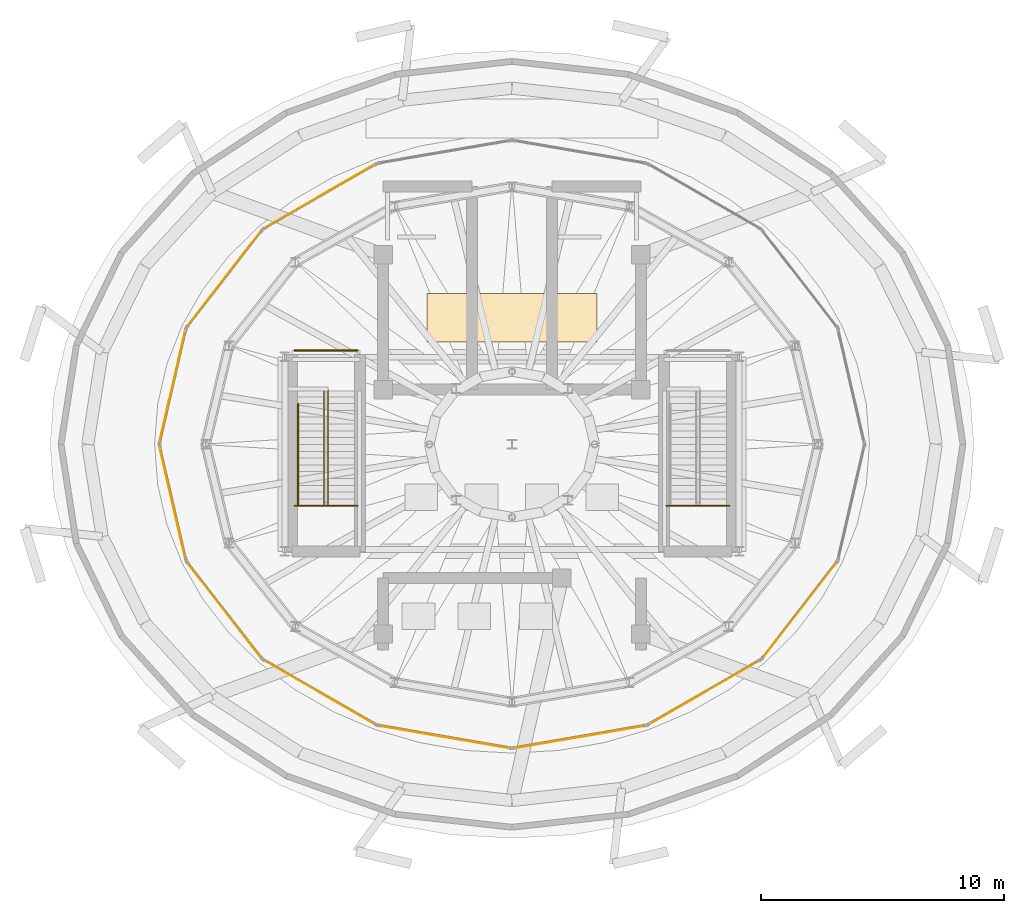
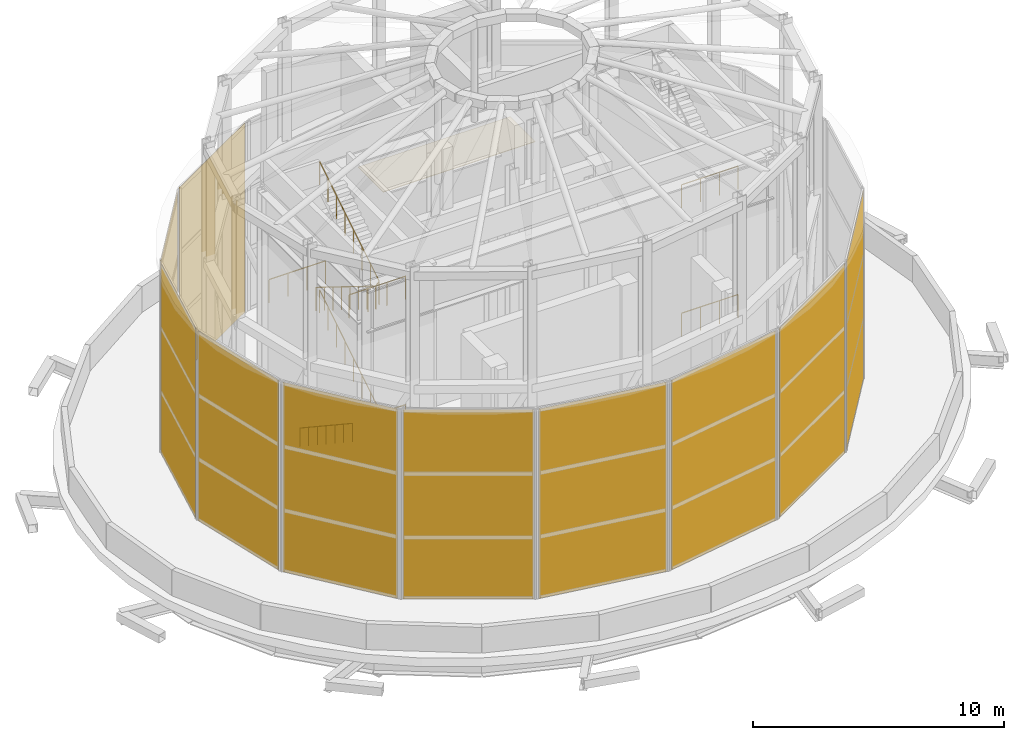
# One storey, part 21 of 22: 10 shading devices, 8 railings, 1 covering.
"""IFC4 building model written with IfcOpenShell, lengths in metres."""

from ifc_helpers import new_model, si_unit, direction, frame, origin, origin_2d, place, context, subcontext, project, spatial, polyline, rectangle, outline, extrude, material, layer, layer_set, type_object, element, save


model = new_model("IFC4")

# Units and contexts
model_context = context("Model", 3, precision=1e-05, world=origin(), true_north=direction((0.0, 1.0)))
body_context = subcontext(model_context, "Body", "Model", "MODEL_VIEW")
ifc_project = project(units=[si_unit("LENGTHUNIT", "METRE"), si_unit("AREAUNIT", "SQUARE_METRE"), si_unit("VOLUMEUNIT", "CUBIC_METRE"), si_unit("PLANEANGLEUNIT", "RADIAN"), si_unit("MASSUNIT", "GRAM", prefix="KILO")], contexts=[model_context])

# Site, building, storey
site_placement = place(None, origin())
site = spatial("IfcSite", under=ifc_project, at=site_placement, CompositionType="ELEMENT")
building_placement = place(site_placement, origin())
building = spatial("IfcBuilding", under=site, at=building_placement, Name="Nuhasar Tower", CompositionType="ELEMENT")
storey_placement = place(building_placement, frame((0.0, 0.0, 313.39990234375)))
storey = spatial("IfcBuildingStorey", under=building, at=storey_placement, Name="Roof Drum", CompositionType="ELEMENT", Elevation=313.39990234375)

# Covering
ifc_material_1 = material(Name="EPDM Membrane", Category="bitumen")
ifc_layer_1 = layer(ifc_material_1, 0.030029296875)
ifc_layer_set_1 = layer_set([ifc_layer_1], Name="EPDM Membrane")
covering_type = type_object("IfcCoveringType", Name="COV-ROOF-MEM30", PredefinedType="ROOFING", material=ifc_layer_set_1)
covering_placement = place(storey_placement, frame((0.0, 0.0, 9.5)))
element("IfcCovering", 1, at=covering_placement, inside=storey, type_object=covering_type, Name="Roof Drum Waterproofing Roof Membrane Strip 05", PredefinedType="ROOFING", context=body_context, shape_type="SweptSolid", body=[
    extrude(outline(polyline([(35.5, 31.0), (42.5, 31.0), (42.5, 33.0), (35.5, 33.0), (35.5, 31.0)])), origin(), (0.0, 0.0, 1.0), 0.030029296875),
])

# Railings
ifc_material_2 = material(Name="Steel S355", Category="steel")
railing_type_1 = type_object("IfcRailingType", Name="RLG-STAIR-GUARD-1150", PredefinedType="GUARDRAIL", material=ifc_material_2)
railing_1_placement = place(storey_placement, frame((30.050048828125, 24.27490234375, 3.125)))
element("IfcRailing", 2, at=railing_1_placement, inside=storey, type_object=railing_type_1, Name="Roof Drum Stair ST-CRN-1 Guardrail LNDS1", PredefinedType="GUARDRAIL", context=body_context, shape_type="SweptSolid", body=[
    extrude(outline(polyline([(0.024169921875, 0.0), (0.01708984375, 0.01708984375), (0.0, 0.024169921875), (-0.01708984375, 0.01708984375), (-0.024169921875, 0.0), (-0.01708984375, -0.01708984375), (0.0, -0.024169921875), (0.01708984375, -0.01708984375), (0.024169921875, 0.0)])), frame((0.0, 0.0, 1.1259765625), z_axis=(1.0, 0.0, 0.0), x_axis=(0.0, 1.0, 0.0)), (0.0, 0.0, 1.0), 2.599853515625),
    extrude(outline(polyline([(0.02099609375, 0.0), (0.014892578125, 0.014892578125), (0.0, 0.02099609375), (-0.014892578125, 0.014892578125), (-0.02099609375, 0.0), (-0.014892578125, -0.014892578125), (0.0, -0.02099609375), (0.014892578125, -0.014892578125), (0.02099609375, 0.0)])), origin(), (0.0, 0.0, 1.0), 1.101806640625),
    extrude(outline(polyline([(0.02099609375, 0.0), (0.014892578125, 0.014892578125), (0.0, 0.02099609375), (-0.014892578125, 0.014892578125), (-0.02099609375, 0.0), (-0.014892578125, -0.014892578125), (0.0, -0.02099609375), (0.014892578125, -0.014892578125), (0.02099609375, 0.0)])), frame((0.86669921875, 0.0, 0.0)), (0.0, 0.0, 1.0), 1.101806640625),
    extrude(outline(polyline([(0.02099609375, 0.0), (0.014892578125, 0.014892578125), (0.0, 0.02099609375), (-0.014892578125, 0.014892578125), (-0.02099609375, 0.0), (-0.014892578125, -0.014892578125), (0.0, -0.02099609375), (0.014892578125, -0.014892578125), (0.02099609375, 0.0)])), frame((1.733154296875, 0.0, 0.0)), (0.0, 0.0, 1.0), 1.101806640625),
    extrude(outline(polyline([(0.02099609375, 0.0), (0.014892578125, 0.014892578125), (0.0, 0.02099609375), (-0.014892578125, 0.014892578125), (-0.02099609375, 0.0), (-0.014892578125, -0.014892578125), (0.0, -0.02099609375), (0.014892578125, -0.014892578125), (0.02099609375, 0.0)])), frame((2.599853515625, 0.0, 0.0)), (0.0, 0.0, 1.0), 1.101806640625),
])
railing_2_placement = place(storey_placement, frame((31.27001953125, 28.47509765625, 0.52099609375)))
element("IfcRailing", 3, at=railing_2_placement, inside=storey, type_object=railing_type_1, Name="Roof Drum Stair ST-CRN-1 Guardrail SLT1", PredefinedType="GUARDRAIL", context=body_context, shape_type="SweptSolid", body=[
    extrude(outline(polyline([(0.024169921875, 0.0), (0.01708984375, 0.01708984375), (0.0, 0.024169921875), (-0.01708984375, 0.01708984375), (-0.024169921875, 0.0), (-0.01708984375, -0.01708984375), (0.0, -0.024169921875), (0.01708984375, -0.01708984375), (0.024169921875, 0.0)])), frame((0.0, 0.0, 1.1259765625), z_axis=(0.0, -0.849913311345, 0.526922540037), x_axis=(1.0, 0.0, 0.0)), (0.0, 0.0, 1.0), 4.94189453125),
    extrude(outline(polyline([(0.024169921875, 0.0), (0.01708984375, 0.01708984375), (0.0, 0.024169921875), (-0.01708984375, 0.01708984375), (-0.024169921875, 0.0), (-0.01708984375, -0.01708984375), (0.0, -0.024169921875), (0.01708984375, -0.01708984375), (0.024169921875, 0.0)])), frame((0.0, -4.2001953125, 3.72998046875), z_axis=(0.676519338112, 0.0, 0.736424867288), x_axis=(0.0, 1.0, 0.0)), (0.0, 0.0, 1.0), 0.236328125),
    extrude(outline(polyline([(0.024169921875, 0.0), (0.01708984375, 0.01708984375), (0.0, 0.024169921875), (-0.01708984375, 0.01708984375), (-0.024169921875, 0.0), (-0.01708984375, -0.01708984375), (0.0, -0.024169921875), (0.01708984375, -0.01708984375), (0.024169921875, 0.0)])), frame((0.159912109375, -4.2001953125, 3.90380859375), z_axis=(0.0, 0.849924946986, 0.526903771566), x_axis=(-1.0, 0.0, 0.0)), (0.0, 0.0, 1.0), 5.6005859375),
    extrude(outline(polyline([(0.02099609375, 0.0), (0.014892578125, 0.014892578125), (0.0, 0.02099609375), (-0.014892578125, 0.014892578125), (-0.02099609375, 0.0), (-0.014892578125, -0.014892578125), (0.0, -0.02099609375), (0.014892578125, -0.014892578125), (0.02099609375, 0.0)])), origin(), (0.0, 0.0, 1.0), 1.101806640625),
    extrude(outline(polyline([(0.02099609375, 0.0), (0.014892578125, 0.014892578125), (0.0, 0.02099609375), (-0.014892578125, 0.014892578125), (-0.02099609375, 0.0), (-0.014892578125, -0.014892578125), (0.0, -0.02099609375), (0.014892578125, -0.014892578125), (0.02099609375, 0.0)])), frame((0.0, -0.699951171875, 0.43408203125)), (0.0, 0.0, 1.0), 1.101806640625),
    extrude(outline(polyline([(0.02099609375, 0.0), (0.014892578125, 0.014892578125), (0.0, 0.02099609375), (-0.014892578125, 0.014892578125), (-0.02099609375, 0.0), (-0.014892578125, -0.014892578125), (0.0, -0.02099609375), (0.014892578125, -0.014892578125), (0.02099609375, 0.0)])), frame((0.0, -1.400146484375, 0.867919921875)), (0.0, 0.0, 1.0), 1.101806640625),
    extrude(outline(polyline([(0.02099609375, 0.0), (0.014892578125, 0.014892578125), (0.0, 0.02099609375), (-0.014892578125, 0.014892578125), (-0.02099609375, 0.0), (-0.014892578125, -0.014892578125), (0.0, -0.02099609375), (0.014892578125, -0.014892578125), (0.02099609375, 0.0)])), frame((0.0, -2.10009765625, 1.302001953125)), (0.0, 0.0, 1.0), 1.101806640625),
    extrude(outline(polyline([(0.02099609375, 0.0), (0.014892578125, 0.014892578125), (0.0, 0.02099609375), (-0.014892578125, 0.014892578125), (-0.02099609375, 0.0), (-0.014892578125, -0.014892578125), (0.0, -0.02099609375), (0.014892578125, -0.014892578125), (0.02099609375, 0.0)])), frame((0.0, -2.800048828125, 1.736083984375)), (0.0, 0.0, 1.0), 1.101806640625),
    extrude(outline(polyline([(0.02099609375, 0.0), (0.014892578125, 0.014892578125), (0.0, 0.02099609375), (-0.014892578125, 0.014892578125), (-0.02099609375, 0.0), (-0.014892578125, -0.014892578125), (0.0, -0.02099609375), (0.014892578125, -0.014892578125), (0.02099609375, 0.0)])), frame((0.0, -3.500244140625, 2.169921875)), (0.0, 0.0, 1.0), 1.101806640625),
    extrude(outline(polyline([(0.02099609375, 0.0), (0.014892578125, 0.014892578125), (0.0, 0.02099609375), (-0.014892578125, 0.014892578125), (-0.02099609375, 0.0), (-0.014892578125, -0.014892578125), (0.0, -0.02099609375), (0.014892578125, -0.014892578125), (0.02099609375, 0.0)])), frame((0.0, -4.2001953125, 2.60400390625)), (0.0, 0.0, 1.0), 1.101806640625),
    extrude(outline(polyline([(0.02099609375, 0.0), (0.014892578125, 0.014892578125), (0.0, 0.02099609375), (-0.014892578125, 0.014892578125), (-0.02099609375, 0.0), (-0.014892578125, -0.014892578125), (0.0, -0.02099609375), (0.014892578125, -0.014892578125), (0.02099609375, 0.0)])), frame((0.159912109375, -4.2001953125, 2.778076171875)), (0.0, 0.0, 1.0), 1.101806640625),
    extrude(outline(polyline([(0.02099609375, 0.0), (0.014892578125, 0.014892578125), (0.0, 0.02099609375), (-0.014892578125, 0.014892578125), (-0.02099609375, 0.0), (-0.014892578125, -0.014892578125), (0.0, -0.02099609375), (0.014892578125, -0.014892578125), (0.02099609375, 0.0)])), frame((0.159912109375, -3.520263671875, 3.19970703125)), (0.0, 0.0, 1.0), 1.101806640625),
    extrude(outline(polyline([(0.02099609375, 0.0), (0.014892578125, 0.014892578125), (0.0, 0.02099609375), (-0.014892578125, 0.014892578125), (-0.02099609375, 0.0), (-0.014892578125, -0.014892578125), (0.0, -0.02099609375), (0.014892578125, -0.014892578125), (0.02099609375, 0.0)])), frame((0.159912109375, -2.840087890625, 3.62109375)), (0.0, 0.0, 1.0), 1.101806640625),
    extrude(outline(polyline([(0.02099609375, 0.0), (0.014892578125, 0.014892578125), (0.0, 0.02099609375), (-0.014892578125, 0.014892578125), (-0.02099609375, 0.0), (-0.014892578125, -0.014892578125), (0.0, -0.02099609375), (0.014892578125, -0.014892578125), (0.02099609375, 0.0)])), frame((0.159912109375, -2.16015625, 4.042724609375)), (0.0, 0.0, 1.0), 1.101806640625),
    extrude(outline(polyline([(0.02099609375, 0.0), (0.014892578125, 0.014892578125), (0.0, 0.02099609375), (-0.014892578125, 0.014892578125), (-0.02099609375, 0.0), (-0.014892578125, -0.014892578125), (0.0, -0.02099609375), (0.014892578125, -0.014892578125), (0.02099609375, 0.0)])), frame((0.159912109375, -1.480224609375, 4.46435546875)), (0.0, 0.0, 1.0), 1.101806640625),
    extrude(outline(polyline([(0.02099609375, 0.0), (0.014892578125, 0.014892578125), (0.0, 0.02099609375), (-0.014892578125, 0.014892578125), (-0.02099609375, 0.0), (-0.014892578125, -0.014892578125), (0.0, -0.02099609375), (0.014892578125, -0.014892578125), (0.02099609375, 0.0)])), frame((0.159912109375, -0.80029296875, 4.885986328125)), (0.0, 0.0, 1.0), 1.101806640625),
    extrude(outline(polyline([(0.02099609375, 0.0), (0.014892578125, 0.014892578125), (0.0, 0.02099609375), (-0.014892578125, 0.014892578125), (-0.02099609375, 0.0), (-0.014892578125, -0.014892578125), (0.0, -0.02099609375), (0.014892578125, -0.014892578125), (0.02099609375, 0.0)])), frame((0.159912109375, -0.1201171875, 5.307373046875)), (0.0, 0.0, 1.0), 1.101806640625),
    extrude(outline(polyline([(0.02099609375, 0.0), (0.014892578125, 0.014892578125), (0.0, 0.02099609375), (-0.014892578125, 0.014892578125), (-0.02099609375, 0.0), (-0.014892578125, -0.014892578125), (0.0, -0.02099609375), (0.014892578125, -0.014892578125), (0.02099609375, 0.0)])), frame((0.159912109375, 0.559814453125, 5.72900390625)), (0.0, 0.0, 1.0), 1.101806640625),
])
for number, where, name in (
    (4, (30.050048828125, 30.659912109375, 6.25), "Roof Drum Stair ST-CRN-1 Guardrail LNDN1"),
    (5, (30.050048828125, 24.27490234375, 9.375), "Roof Drum Stair ST-CRN-1 Guardrail LNDS2"),
):
    element("IfcRailing", number, at=place(storey_placement, frame(where)), inside=storey, type_object=railing_type_1, Name=name, PredefinedType="GUARDRAIL", context=body_context, shape_type="SweptSolid", body=[
        extrude(outline(polyline([(0.024169921875, 0.0), (0.01708984375, 0.01708984375), (0.0, 0.024169921875), (-0.01708984375, 0.01708984375), (-0.024169921875, 0.0), (-0.01708984375, -0.01708984375), (0.0, -0.024169921875), (0.01708984375, -0.01708984375), (0.024169921875, 0.0)])), frame((0.0, 0.0, 1.1259765625), z_axis=(1.0, 0.0, 0.0), x_axis=(0.0, 1.0, 0.0)), (0.0, 0.0, 1.0), 2.599853515625),
        extrude(outline(polyline([(0.02099609375, 0.0), (0.014892578125, 0.014892578125), (0.0, 0.02099609375), (-0.014892578125, 0.014892578125), (-0.02099609375, 0.0), (-0.014892578125, -0.014892578125), (0.0, -0.02099609375), (0.014892578125, -0.014892578125), (0.02099609375, 0.0)])), origin(), (0.0, 0.0, 1.0), 1.101806640625),
        extrude(outline(polyline([(0.02099609375, 0.0), (0.014892578125, 0.014892578125), (0.0, 0.02099609375), (-0.014892578125, 0.014892578125), (-0.02099609375, 0.0), (-0.014892578125, -0.014892578125), (0.0, -0.02099609375), (0.014892578125, -0.014892578125), (0.02099609375, 0.0)])), frame((0.86669921875, 0.0, 0.0)), (0.0, 0.0, 1.0), 1.101806640625),
        extrude(outline(polyline([(0.02099609375, 0.0), (0.014892578125, 0.014892578125), (0.0, 0.02099609375), (-0.014892578125, 0.014892578125), (-0.02099609375, 0.0), (-0.014892578125, -0.014892578125), (0.0, -0.02099609375), (0.014892578125, -0.014892578125), (0.02099609375, 0.0)])), frame((1.733154296875, 0.0, 0.0)), (0.0, 0.0, 1.0), 1.101806640625),
        extrude(outline(polyline([(0.02099609375, 0.0), (0.014892578125, 0.014892578125), (0.0, 0.02099609375), (-0.014892578125, 0.014892578125), (-0.02099609375, 0.0), (-0.014892578125, -0.014892578125), (0.0, -0.02099609375), (0.014892578125, -0.014892578125), (0.02099609375, 0.0)])), frame((2.599853515625, 0.0, 0.0)), (0.0, 0.0, 1.0), 1.101806640625),
    ])
railing_3_placement = place(storey_placement, frame((31.27001953125, 29.034912109375, 6.424072265625)))
element("IfcRailing", 6, at=railing_3_placement, inside=storey, type_object=railing_type_1, Name="Roof Drum Stair ST-CRN-1 Guardrail SLT2", PredefinedType="GUARDRAIL", context=body_context, shape_type="SweptSolid", body=[
    extrude(outline(polyline([(0.024169921875, 0.0), (0.01708984375, 0.01708984375), (0.0, 0.024169921875), (-0.01708984375, 0.01708984375), (-0.024169921875, 0.0), (-0.01708984375, -0.01708984375), (0.0, -0.024169921875), (0.01708984375, -0.01708984375), (0.024169921875, 0.0)])), frame((0.0, 0.0, 1.1259765625), z_axis=(0.0, -0.849924946986, 0.526903771566), x_axis=(1.0, 0.0, 0.0)), (0.0, 0.0, 1.0), 5.6005859375),
    extrude(outline(polyline([(0.024169921875, 0.0), (0.01708984375, 0.01708984375), (0.0, 0.024169921875), (-0.01708984375, 0.01708984375), (-0.024169921875, 0.0), (-0.01708984375, -0.01708984375), (0.0, -0.024169921875), (0.01708984375, -0.01708984375), (0.024169921875, 0.0)])), frame((0.0, -4.760009765625, 4.07666015625), z_axis=(0.676519338112, 0.0, 0.736424867288), x_axis=(0.0, 1.0, 0.0)), (0.0, 0.0, 1.0), 0.236328125),
    extrude(outline(polyline([(0.024169921875, 0.0), (0.01708984375, 0.01708984375), (0.0, 0.024169921875), (-0.01708984375, 0.01708984375), (-0.024169921875, 0.0), (-0.01708984375, -0.01708984375), (0.0, -0.024169921875), (0.01708984375, -0.01708984375), (0.024169921875, 0.0)])), frame((0.159912109375, -4.760009765625, 4.2509765625), z_axis=(0.0, 0.849924946986, 0.526903771566), x_axis=(-1.0, 0.0, 0.0)), (0.0, 0.0, 1.0), 5.6005859375),
    extrude(outline(polyline([(0.02099609375, 0.0), (0.014892578125, 0.014892578125), (0.0, 0.02099609375), (-0.014892578125, 0.014892578125), (-0.02099609375, 0.0), (-0.014892578125, -0.014892578125), (0.0, -0.02099609375), (0.014892578125, -0.014892578125), (0.02099609375, 0.0)])), origin(), (0.0, 0.0, 1.0), 1.101806640625),
    extrude(outline(polyline([(0.02099609375, 0.0), (0.014892578125, 0.014892578125), (0.0, 0.02099609375), (-0.014892578125, 0.014892578125), (-0.02099609375, 0.0), (-0.014892578125, -0.014892578125), (0.0, -0.02099609375), (0.014892578125, -0.014892578125), (0.02099609375, 0.0)])), frame((0.0, -0.679931640625, 0.421630859375)), (0.0, 0.0, 1.0), 1.101806640625),
    extrude(outline(polyline([(0.02099609375, 0.0), (0.014892578125, 0.014892578125), (0.0, 0.02099609375), (-0.014892578125, 0.014892578125), (-0.02099609375, 0.0), (-0.014892578125, -0.014892578125), (0.0, -0.02099609375), (0.014892578125, -0.014892578125), (0.02099609375, 0.0)])), frame((0.0, -1.360107421875, 0.843017578125)), (0.0, 0.0, 1.0), 1.101806640625),
    extrude(outline(polyline([(0.02099609375, 0.0), (0.014892578125, 0.014892578125), (0.0, 0.02099609375), (-0.014892578125, 0.014892578125), (-0.02099609375, 0.0), (-0.014892578125, -0.014892578125), (0.0, -0.02099609375), (0.014892578125, -0.014892578125), (0.02099609375, 0.0)])), frame((0.0, -2.0400390625, 1.2646484375)), (0.0, 0.0, 1.0), 1.101806640625),
    extrude(outline(polyline([(0.02099609375, 0.0), (0.014892578125, 0.014892578125), (0.0, 0.02099609375), (-0.014892578125, 0.014892578125), (-0.02099609375, 0.0), (-0.014892578125, -0.014892578125), (0.0, -0.02099609375), (0.014892578125, -0.014892578125), (0.02099609375, 0.0)])), frame((0.0, -2.719970703125, 1.686279296875)), (0.0, 0.0, 1.0), 1.101806640625),
    extrude(outline(polyline([(0.02099609375, 0.0), (0.014892578125, 0.014892578125), (0.0, 0.02099609375), (-0.014892578125, 0.014892578125), (-0.02099609375, 0.0), (-0.014892578125, -0.014892578125), (0.0, -0.02099609375), (0.014892578125, -0.014892578125), (0.02099609375, 0.0)])), frame((0.0, -3.39990234375, 2.10791015625)), (0.0, 0.0, 1.0), 1.101806640625),
    extrude(outline(polyline([(0.02099609375, 0.0), (0.014892578125, 0.014892578125), (0.0, 0.02099609375), (-0.014892578125, 0.014892578125), (-0.02099609375, 0.0), (-0.014892578125, -0.014892578125), (0.0, -0.02099609375), (0.014892578125, -0.014892578125), (0.02099609375, 0.0)])), frame((0.0, -4.080078125, 2.529296875)), (0.0, 0.0, 1.0), 1.101806640625),
    extrude(outline(polyline([(0.02099609375, 0.0), (0.014892578125, 0.014892578125), (0.0, 0.02099609375), (-0.014892578125, 0.014892578125), (-0.02099609375, 0.0), (-0.014892578125, -0.014892578125), (0.0, -0.02099609375), (0.014892578125, -0.014892578125), (0.02099609375, 0.0)])), frame((0.0, -4.760009765625, 2.950927734375)), (0.0, 0.0, 1.0), 1.101806640625),
    extrude(outline(polyline([(0.02099609375, 0.0), (0.014892578125, 0.014892578125), (0.0, 0.02099609375), (-0.014892578125, 0.014892578125), (-0.02099609375, 0.0), (-0.014892578125, -0.014892578125), (0.0, -0.02099609375), (0.014892578125, -0.014892578125), (0.02099609375, 0.0)])), frame((0.159912109375, -4.760009765625, 3.125)), (0.0, 0.0, 1.0), 1.101806640625),
    extrude(outline(polyline([(0.02099609375, 0.0), (0.014892578125, 0.014892578125), (0.0, 0.02099609375), (-0.014892578125, 0.014892578125), (-0.02099609375, 0.0), (-0.014892578125, -0.014892578125), (0.0, -0.02099609375), (0.014892578125, -0.014892578125), (0.02099609375, 0.0)])), frame((0.159912109375, -4.080078125, 3.546630859375)), (0.0, 0.0, 1.0), 1.101806640625),
    extrude(outline(polyline([(0.02099609375, 0.0), (0.014892578125, 0.014892578125), (0.0, 0.02099609375), (-0.014892578125, 0.014892578125), (-0.02099609375, 0.0), (-0.014892578125, -0.014892578125), (0.0, -0.02099609375), (0.014892578125, -0.014892578125), (0.02099609375, 0.0)])), frame((0.159912109375, -3.39990234375, 3.968017578125)), (0.0, 0.0, 1.0), 1.101806640625),
    extrude(outline(polyline([(0.02099609375, 0.0), (0.014892578125, 0.014892578125), (0.0, 0.02099609375), (-0.014892578125, 0.014892578125), (-0.02099609375, 0.0), (-0.014892578125, -0.014892578125), (0.0, -0.02099609375), (0.014892578125, -0.014892578125), (0.02099609375, 0.0)])), frame((0.159912109375, -2.719970703125, 4.3896484375)), (0.0, 0.0, 1.0), 1.101806640625),
    extrude(outline(polyline([(0.02099609375, 0.0), (0.014892578125, 0.014892578125), (0.0, 0.02099609375), (-0.014892578125, 0.014892578125), (-0.02099609375, 0.0), (-0.014892578125, -0.014892578125), (0.0, -0.02099609375), (0.014892578125, -0.014892578125), (0.02099609375, 0.0)])), frame((0.159912109375, -2.0400390625, 4.811279296875)), (0.0, 0.0, 1.0), 1.101806640625),
    extrude(outline(polyline([(0.02099609375, 0.0), (0.014892578125, 0.014892578125), (0.0, 0.02099609375), (-0.014892578125, 0.014892578125), (-0.02099609375, 0.0), (-0.014892578125, -0.014892578125), (0.0, -0.02099609375), (0.014892578125, -0.014892578125), (0.02099609375, 0.0)])), frame((0.159912109375, -1.360107421875, 5.23291015625)), (0.0, 0.0, 1.0), 1.101806640625),
    extrude(outline(polyline([(0.02099609375, 0.0), (0.014892578125, 0.014892578125), (0.0, 0.02099609375), (-0.014892578125, 0.014892578125), (-0.02099609375, 0.0), (-0.014892578125, -0.014892578125), (0.0, -0.02099609375), (0.014892578125, -0.014892578125), (0.02099609375, 0.0)])), frame((0.159912109375, -0.679931640625, 5.654296875)), (0.0, 0.0, 1.0), 1.101806640625),
    extrude(outline(polyline([(0.02099609375, 0.0), (0.014892578125, 0.014892578125), (0.0, 0.02099609375), (-0.014892578125, 0.014892578125), (-0.02099609375, 0.0), (-0.014892578125, -0.014892578125), (0.0, -0.02099609375), (0.014892578125, -0.014892578125), (0.02099609375, 0.0)])), frame((0.159912109375, 0.0, 6.075927734375)), (0.0, 0.0, 1.0), 1.101806640625),
])
for number, where, name in (
    (7, (45.35009765625, 24.27490234375, 3.125), "Roof Drum Stair ST-CRN-2 Guardrail LNDS1"),
    (8, (45.35009765625, 24.27490234375, 9.375), "Roof Drum Stair ST-CRN-2 Guardrail LNDS2"),
):
    element("IfcRailing", number, at=place(storey_placement, frame(where)), inside=storey, type_object=railing_type_1, Name=name, PredefinedType="GUARDRAIL", context=body_context, shape_type="SweptSolid", body=[
        extrude(outline(polyline([(0.024169921875, 0.0), (0.01708984375, 0.01708984375), (0.0, 0.024169921875), (-0.01708984375, 0.01708984375), (-0.024169921875, 0.0), (-0.01708984375, -0.01708984375), (0.0, -0.024169921875), (0.01708984375, -0.01708984375), (0.024169921875, 0.0)])), frame((0.0, 0.0, 1.1259765625), z_axis=(1.0, 0.0, 0.0), x_axis=(0.0, 1.0, 0.0)), (0.0, 0.0, 1.0), 2.599853515625),
        extrude(outline(polyline([(0.02099609375, 0.0), (0.014892578125, 0.014892578125), (0.0, 0.02099609375), (-0.014892578125, 0.014892578125), (-0.02099609375, 0.0), (-0.014892578125, -0.014892578125), (0.0, -0.02099609375), (0.014892578125, -0.014892578125), (0.02099609375, 0.0)])), origin(), (0.0, 0.0, 1.0), 1.101806640625),
        extrude(outline(polyline([(0.02099609375, 0.0), (0.014892578125, 0.014892578125), (0.0, 0.02099609375), (-0.014892578125, 0.014892578125), (-0.02099609375, 0.0), (-0.014892578125, -0.014892578125), (0.0, -0.02099609375), (0.014892578125, -0.014892578125), (0.02099609375, 0.0)])), frame((0.86669921875, 0.0, 0.0)), (0.0, 0.0, 1.0), 1.101806640625),
        extrude(outline(polyline([(0.02099609375, 0.0), (0.014892578125, 0.014892578125), (0.0, 0.02099609375), (-0.014892578125, 0.014892578125), (-0.02099609375, 0.0), (-0.014892578125, -0.014892578125), (0.0, -0.02099609375), (0.014892578125, -0.014892578125), (0.02099609375, 0.0)])), frame((1.733154296875, 0.0, 0.0)), (0.0, 0.0, 1.0), 1.101806640625),
        extrude(outline(polyline([(0.02099609375, 0.0), (0.014892578125, 0.014892578125), (0.0, 0.02099609375), (-0.014892578125, 0.014892578125), (-0.02099609375, 0.0), (-0.014892578125, -0.014892578125), (0.0, -0.02099609375), (0.014892578125, -0.014892578125), (0.02099609375, 0.0)])), frame((2.599853515625, 0.0, 0.0)), (0.0, 0.0, 1.0), 1.101806640625),
    ])
ifc_material_3 = material(Name="Stainless Steel 316L", Category="steel")
railing_type_2 = type_object("IfcRailingType", Name="RLG-STAIR-HAND-920", PredefinedType="HANDRAIL", material=ifc_material_3)
railing_4_placement = place(storey_placement, frame((30.199951171875, 28.47509765625, 0.52099609375)))
element("IfcRailing", 9, at=railing_4_placement, inside=storey, type_object=railing_type_2, Name="Roof Drum Stair ST-CRN-1 Handrail HNDA1", PredefinedType="HANDRAIL", context=body_context, shape_type="SweptSolid", body=[
    extrude(outline(polyline([(0.024169921875, 0.0), (0.01708984375, 0.01708984375), (0.0, 0.024169921875), (-0.01708984375, 0.01708984375), (-0.024169921875, 0.0), (-0.01708984375, -0.01708984375), (0.0, -0.024169921875), (0.01708984375, -0.01708984375), (0.024169921875, 0.0)])), frame((0.0, 0.0, 0.89599609375), z_axis=(0.0, -0.834066052452, 0.551664590261), x_axis=(1.0, 0.0, 0.0)), (0.0, 0.0, 1.0), 5.035888671875),
    extrude(outline(polyline([(0.02099609375, 0.0), (0.014892578125, 0.014892578125), (0.0, 0.02099609375), (-0.014892578125, 0.014892578125), (-0.02099609375, 0.0), (-0.014892578125, -0.014892578125), (0.0, -0.02099609375), (0.014892578125, -0.014892578125), (0.02099609375, 0.0)])), origin(), (0.0, 0.0, 1.0), 0.871826171875),
    extrude(outline(polyline([(0.02099609375, 0.0), (0.014892578125, 0.014892578125), (0.0, 0.02099609375), (-0.014892578125, 0.014892578125), (-0.02099609375, 0.0), (-0.014892578125, -0.014892578125), (0.0, -0.02099609375), (0.014892578125, -0.014892578125), (0.02099609375, 0.0)])), frame((0.0, -0.699951171875, 0.462890625)), (0.0, 0.0, 1.0), 0.871826171875),
    extrude(outline(polyline([(0.02099609375, 0.0), (0.014892578125, 0.014892578125), (0.0, 0.02099609375), (-0.014892578125, 0.014892578125), (-0.02099609375, 0.0), (-0.014892578125, -0.014892578125), (0.0, -0.02099609375), (0.014892578125, -0.014892578125), (0.02099609375, 0.0)])), frame((0.0, -1.400146484375, 0.926025390625)), (0.0, 0.0, 1.0), 0.871826171875),
    extrude(outline(polyline([(0.02099609375, 0.0), (0.014892578125, 0.014892578125), (0.0, 0.02099609375), (-0.014892578125, 0.014892578125), (-0.02099609375, 0.0), (-0.014892578125, -0.014892578125), (0.0, -0.02099609375), (0.014892578125, -0.014892578125), (0.02099609375, 0.0)])), frame((0.0, -2.10009765625, 1.38916015625)), (0.0, 0.0, 1.0), 0.871826171875),
    extrude(outline(polyline([(0.02099609375, 0.0), (0.014892578125, 0.014892578125), (0.0, 0.02099609375), (-0.014892578125, 0.014892578125), (-0.02099609375, 0.0), (-0.014892578125, -0.014892578125), (0.0, -0.02099609375), (0.014892578125, -0.014892578125), (0.02099609375, 0.0)])), frame((0.0, -2.800048828125, 1.85205078125)), (0.0, 0.0, 1.0), 0.871826171875),
    extrude(outline(polyline([(0.02099609375, 0.0), (0.014892578125, 0.014892578125), (0.0, 0.02099609375), (-0.014892578125, 0.014892578125), (-0.02099609375, 0.0), (-0.014892578125, -0.014892578125), (0.0, -0.02099609375), (0.014892578125, -0.014892578125), (0.02099609375, 0.0)])), frame((0.0, -3.500244140625, 2.31494140625)), (0.0, 0.0, 1.0), 0.871826171875),
    extrude(outline(polyline([(0.02099609375, 0.0), (0.014892578125, 0.014892578125), (0.0, 0.02099609375), (-0.014892578125, 0.014892578125), (-0.02099609375, 0.0), (-0.014892578125, -0.014892578125), (0.0, -0.02099609375), (0.014892578125, -0.014892578125), (0.02099609375, 0.0)])), frame((0.0, -4.2001953125, 2.778076171875)), (0.0, 0.0, 1.0), 0.871826171875),
])

# Shading devices
ifc_material_4 = material(Name="Aluminium 6063-T6", Category="aluminium")
ifc_layer_2 = layer(ifc_material_4, 0.01611328125)
ifc_layer_set_2 = layer_set([ifc_layer_2], Name="Aluminium 6063-T6")
shading_device_type = type_object("IfcShadingDeviceType", Name="SHD-MASH-16", PredefinedType="SHUTTER", material=ifc_layer_set_2)
shading_device_1_placement = place(storey_placement, frame((31.0859375, 37.010009765625, 0.0), z_axis=(0.0, 0.0, 1.0), x_axis=(-0.866574658864, -0.499047453269, 0.0)))
element("IfcShadingDevice", 10, at=shading_device_1_placement, inside=storey, type_object=shading_device_type, Name="Crown Bronze Mashrabiya Sun-Screen 06", PredefinedType="SHUTTER", context=body_context, shape_type="SweptSolid", body=[
    extrude(rectangle(XDim=5.2109375, YDim=0.01611328125, at=origin_2d()), origin(), (0.0, 0.0, 1.0), 9.219970703125),
])
shading_device_2_placement = place(storey_placement, frame((27.156005859375, 33.6220703125, 0.0), z_axis=(0.0, 0.0, 1.0), x_axis=(-0.612617405554, -0.790379601465, 0.0)))
element("IfcShadingDevice", 11, at=shading_device_2_placement, inside=storey, type_object=shading_device_type, Name="Crown Bronze Mashrabiya Sun-Screen 07", PredefinedType="SHUTTER", context=body_context, shape_type="SweptSolid", body=[
    extrude(rectangle(XDim=4.925048828125, YDim=0.01611328125, at=origin_2d()), origin(), (0.0, 0.0, 1.0), 9.219970703125),
])
for number, where, z_axis, x_axis, name in (
    (12, (25.030029296875, 29.196044921875, 0.0), (0.0, 0.0, 1.0), (-0.224866023659, -0.974389691758, 0.0), "Crown Bronze Mashrabiya Sun-Screen 08"),
    (13, (25.030029296875, 24.404052734375, 0.0), (0.0, 0.0, 1.0), (0.224866023659, -0.974389691758, 0.0), "Crown Bronze Mashrabiya Sun-Screen 09"),
):
    element("IfcShadingDevice", number, at=place(storey_placement, frame(where, z_axis=z_axis, x_axis=x_axis)), inside=storey, type_object=shading_device_type, Name=name, PredefinedType="SHUTTER", context=body_context, shape_type="SweptSolid", body=[
        extrude(rectangle(XDim=4.712890625, YDim=0.01611328125, at=origin_2d()), origin(), (0.0, 0.0, 1.0), 9.219970703125),
    ])
shading_device_3_placement = place(storey_placement, frame((27.156005859375, 19.97705078125, 0.0), z_axis=(0.0, 0.0, 1.0), x_axis=(0.612617405554, -0.790379601465, 0.0)))
element("IfcShadingDevice", 14, at=shading_device_3_placement, inside=storey, type_object=shading_device_type, Name="Crown Bronze Mashrabiya Sun-Screen 10", PredefinedType="SHUTTER", context=body_context, shape_type="SweptSolid", body=[
    extrude(rectangle(XDim=4.925048828125, YDim=0.01611328125, at=origin_2d()), origin(), (0.0, 0.0, 1.0), 9.219970703125),
])
shading_device_4_placement = place(storey_placement, frame((31.0859375, 16.590087890625, 0.0), z_axis=(0.0, 0.0, 1.0), x_axis=(0.866574658864, -0.499047453269, 0.0)))
element("IfcShadingDevice", 15, at=shading_device_4_placement, inside=storey, type_object=shading_device_type, Name="Crown Bronze Mashrabiya Sun-Screen 11", PredefinedType="SHUTTER", context=body_context, shape_type="SweptSolid", body=[
    extrude(rectangle(XDim=5.2109375, YDim=0.01611328125, at=origin_2d()), origin(), (0.0, 0.0, 1.0), 9.219970703125),
])
for number, where, z_axis, x_axis, name in (
    (16, (36.219970703125, 14.7548828125, 0.0), (0.0, 0.0, 1.0), (0.98560036088, -0.169091480076, 0.0), "Crown Bronze Mashrabiya Sun-Screen 12"),
    (17, (41.780029296875, 14.7548828125, 0.0), (0.0, 0.0, 1.0), (0.98560036088, 0.169091480076, 0.0), "Crown Bronze Mashrabiya Sun-Screen 13"),
):
    element("IfcShadingDevice", number, at=place(storey_placement, frame(where, z_axis=z_axis, x_axis=x_axis)), inside=storey, type_object=shading_device_type, Name=name, PredefinedType="SHUTTER", context=body_context, shape_type="SweptSolid", body=[
        extrude(rectangle(XDim=5.405029296875, YDim=0.01611328125, at=origin_2d()), origin(), (0.0, 0.0, 1.0), 9.219970703125),
    ])
shading_device_5_placement = place(storey_placement, frame((46.9140625, 16.590087890625, 0.0), z_axis=(0.0, 0.0, 1.0), x_axis=(0.866574658864, 0.499047453269, 0.0)))
element("IfcShadingDevice", 18, at=shading_device_5_placement, inside=storey, type_object=shading_device_type, Name="Crown Bronze Mashrabiya Sun-Screen 14", PredefinedType="SHUTTER", context=body_context, shape_type="SweptSolid", body=[
    extrude(rectangle(XDim=5.2109375, YDim=0.01611328125, at=origin_2d()), origin(), (0.0, 0.0, 1.0), 9.219970703125),
])
shading_device_6_placement = place(storey_placement, frame((50.843994140625, 19.97705078125, 0.0), z_axis=(0.0, 0.0, 1.0), x_axis=(0.612617405554, 0.790379601465, 0.0)))
element("IfcShadingDevice", 19, at=shading_device_6_placement, inside=storey, type_object=shading_device_type, Name="Crown Bronze Mashrabiya Sun-Screen 15", PredefinedType="SHUTTER", context=body_context, shape_type="SweptSolid", body=[
    extrude(rectangle(XDim=4.925048828125, YDim=0.01611328125, at=origin_2d()), origin(), (0.0, 0.0, 1.0), 9.219970703125),
])

save(model, "model.ifc")
